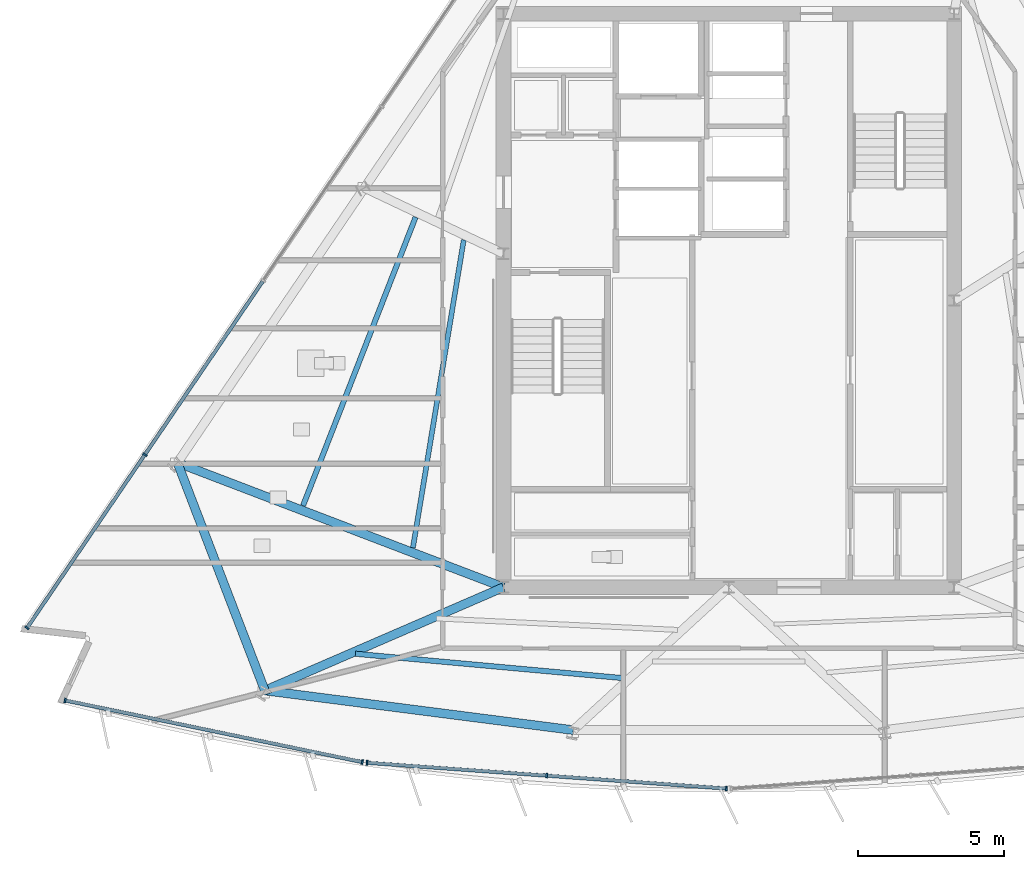
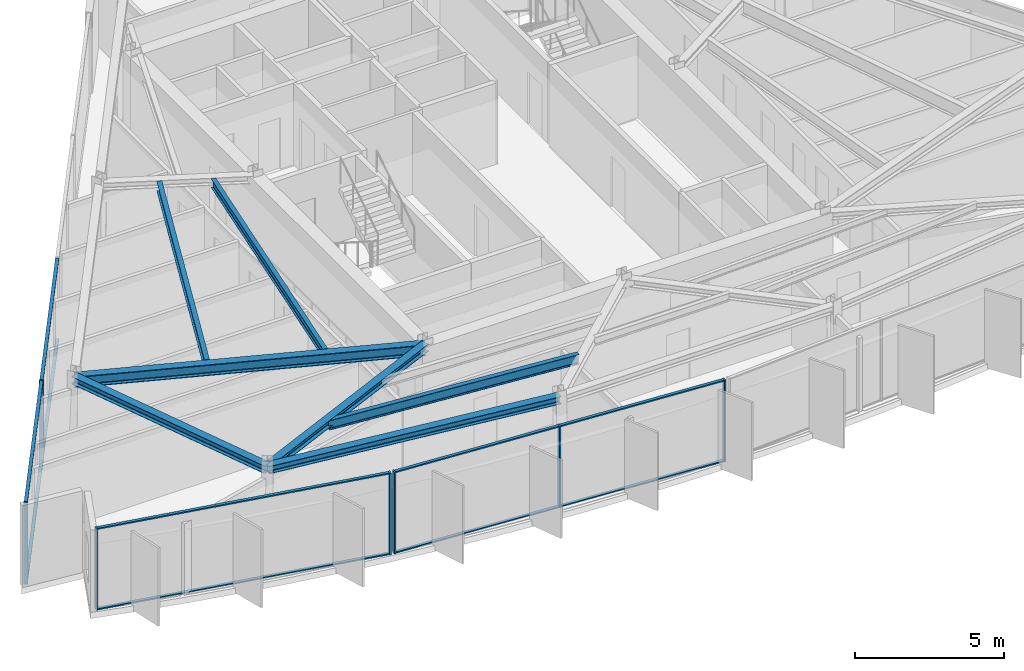
# One storey, part 2 of 13: 17 members, 7 beams, 3 elements without a shape of their own.
"""IFC4 building model written with IfcOpenShell, lengths in metres."""

from ifc_helpers import new_model, si_unit, direction, frame, origin, origin_2d, place, context, subcontext, project, spatial, rectangle, i_section, extrude, material, material_profile, profile_set, type_object, element, aggregate, save


model = new_model("IFC4")

# Units and contexts
model_context = context("Model", 3, precision=1e-05, world=origin(), true_north=direction((0.0, 1.0)))
body_context = subcontext(model_context, "Body", "Model", "MODEL_VIEW")
ifc_project = project(units=[si_unit("LENGTHUNIT", "METRE"), si_unit("AREAUNIT", "SQUARE_METRE"), si_unit("VOLUMEUNIT", "CUBIC_METRE"), si_unit("PLANEANGLEUNIT", "RADIAN"), si_unit("MASSUNIT", "GRAM", prefix="KILO")], contexts=[model_context])

# Site, building, storey
site_placement = place(None, origin())
site = spatial("IfcSite", under=ifc_project, at=site_placement, CompositionType="ELEMENT")
building_placement = place(site_placement, origin())
building = spatial("IfcBuilding", under=site, at=building_placement, Name="Savorim Split Tower", CompositionType="ELEMENT")
storey_placement = place(building_placement, frame((0.0, 0.0, 250.800048828125)))
storey = spatial("IfcBuildingStorey", under=building, at=storey_placement, Name="L66", CompositionType="ELEMENT", Elevation=250.800048828125)

# Beams
ifc_material_1 = material(Name="Steel S355", Category="steel")
ifc_material_profile_1 = material_profile(ifc_material_1, i_section(OverallWidth=0.169921875, OverallDepth=0.360107421875, WebThickness=0.008056640625, FlangeThickness=0.0126953125, FilletRadius=0.01806640625, at=origin_2d()), Name="IPE 360")
ifc_profile_set_1 = profile_set([ifc_material_profile_1], Name="Steel S355")
beam_type_1 = type_object("IfcBeamType", Name="BM-JST-IPE360", PredefinedType="JOIST", material=ifc_profile_set_1)
beam_1_placement = place(storey_placement, frame((-9.055908203125, 2.4716796875, 3.169921875), z_axis=(-0.162880459944, -0.986645810698, 0.0), x_axis=(0.986645810698, -0.162880459944, 0.0)))
element("IfcBeam", 1, at=beam_1_placement, inside=storey, type_object=beam_type_1, Name="L66 Secondary Floor Joist JS-11", PredefinedType="JOIST", context=body_context, shape_type="SweptSolid", body=[
    extrude(i_section(OverallWidth=0.169921875, OverallDepth=0.360107421875, WebThickness=0.008056640625, FlangeThickness=0.0126953125, FilletRadius=0.01806640625, at=origin_2d()), origin(), (0.0, 0.0, 1.0), 10.66455078125),
])
ifc_material_profile_2 = material_profile(ifc_material_1, i_section(OverallWidth=0.179931640625, OverallDepth=0.39990234375, WebThickness=0.008544921875, FlangeThickness=0.013427734375, FilletRadius=0.02099609375, at=origin_2d()), Name="IPE 400")
ifc_profile_set_2 = profile_set([ifc_material_profile_2], Name="Steel S355")
beam_type_2 = type_object("IfcBeamType", Name="BM-JST-IPE400", PredefinedType="JOIST", material=ifc_profile_set_2)
beam_2_placement = place(storey_placement, frame((-12.759033203125, -11.672607421875, 3.14990234375), z_axis=(0.995884753177, -0.090628684147, 0.0), x_axis=(0.090628684147, 0.995884753177, 0.0)))
element("IfcBeam", 2, at=beam_2_placement, inside=storey, type_object=beam_type_2, Name="L66 Secondary Floor Joist JS-01", PredefinedType="JOIST", context=body_context, shape_type="SweptSolid", body=[
    extrude(i_section(OverallWidth=0.179931640625, OverallDepth=0.39990234375, WebThickness=0.008544921875, FlangeThickness=0.013427734375, FilletRadius=0.02099609375, at=origin_2d()), origin(), (0.0, 0.0, 1.0), 9.2373046875),
])
beam_3_placement = place(storey_placement, frame((-10.70263671875, 3.245361328125, 3.14990234375), z_axis=(-0.36343699572, -0.931618779406, 0.0), x_axis=(0.931618779406, -0.36343699572, 0.0)))
element("IfcBeam", 3, at=beam_3_placement, inside=storey, type_object=beam_type_2, Name="L66 Secondary Floor Joist JS-10", PredefinedType="JOIST", context=body_context, shape_type="SweptSolid", body=[
    extrude(i_section(OverallWidth=0.179931640625, OverallDepth=0.39990234375, WebThickness=0.008544921875, FlangeThickness=0.013427734375, FilletRadius=0.02099609375, at=origin_2d()), origin(), (0.0, 0.0, 1.0), 10.58154296875),
])
ifc_material_profile_3 = material_profile(ifc_material_1, i_section(OverallWidth=0.300048828125, OverallDepth=0.300048828125, WebThickness=0.010986328125, FlangeThickness=0.01904296875, FilletRadius=0.027099609375, at=origin_2d()), Name="HEB 300")
ifc_profile_set_3 = profile_set([ifc_material_profile_3], Name="Steel S355")
beam_type_3 = type_object("IfcBeamType", Name="BM-PRI-HEB300", PredefinedType="BEAM", material=ifc_profile_set_3)
beam_4_placement = place(storey_placement, frame((-15.853515625, -12.928466796875, 3.199951171875), z_axis=(0.9177463366, 0.39716704503, 0.0), x_axis=(-0.39716704503, 0.9177463366, 0.0)))
element("IfcBeam", 4, at=beam_4_placement, inside=storey, type_object=beam_type_3, Name="L66 Primary Floor Girder RG-01", PredefinedType="BEAM", context=body_context, shape_type="SweptSolid", body=[
    extrude(i_section(OverallWidth=0.300048828125, OverallDepth=0.300048828125, WebThickness=0.010986328125, FlangeThickness=0.01904296875, FilletRadius=0.027099609375, at=origin_2d()), origin(), (0.0, 0.0, 1.0), 8.88427734375),
])
ifc_material_profile_4 = material_profile(ifc_material_1, i_section(OverallWidth=0.300048828125, OverallDepth=0.449951171875, WebThickness=0.013916015625, FlangeThickness=0.02587890625, FilletRadius=0.027099609375, at=origin_2d()), Name="HEB 450")
ifc_profile_set_4 = profile_set([ifc_material_profile_4], Name="Steel S355")
beam_type_4 = type_object("IfcBeamType", Name="BM-PRI-HEB450", PredefinedType="BEAM", material=ifc_profile_set_4)
beam_5_placement = place(storey_placement, frame((-18.839599609375, -5.144775390625, 3.125), z_axis=(0.934167889928, -0.356833789637, 0.0), x_axis=(0.356833789637, 0.934167889928, 0.0)))
element("IfcBeam", 5, at=beam_5_placement, inside=storey, type_object=beam_type_4, Name="L66 Primary Floor Girder RG-10", PredefinedType="BEAM", context=body_context, shape_type="SweptSolid", body=[
    extrude(i_section(OverallWidth=0.300048828125, OverallDepth=0.449951171875, WebThickness=0.013916015625, FlangeThickness=0.02587890625, FilletRadius=0.027099609375, at=origin_2d()), origin(), (0.0, 0.0, 1.0), 11.924560546875),
])
ifc_material_profile_5 = material_profile(ifc_material_1, i_section(OverallWidth=0.300048828125, OverallDepth=0.31005859375, WebThickness=0.009033203125, FlangeThickness=0.015380859375, FilletRadius=0.027099609375, at=origin_2d()), Name="HEA 320")
ifc_profile_set_5 = profile_set([ifc_material_profile_5], Name="Steel S355")
beam_type_5 = type_object("IfcBeamType", Name="BM-SPN-HEA320", PredefinedType="SPANDREL", material=ifc_profile_set_5)
beam_6_placement = place(storey_placement, frame((-15.853515625, -12.928466796875, 3.195068359375), z_axis=(0.991858093536, -0.127348036053, 0.0), x_axis=(0.127348036053, 0.991858093536, 0.0)))
element("IfcBeam", 6, at=beam_6_placement, inside=storey, type_object=beam_type_5, Name="L66 Perimeter Spandrel Beam 1", PredefinedType="SPANDREL", context=body_context, shape_type="SweptSolid", body=[
    extrude(i_section(OverallWidth=0.300048828125, OverallDepth=0.31005859375, WebThickness=0.009033203125, FlangeThickness=0.015380859375, FilletRadius=0.027099609375, at=origin_2d()), origin(), (0.0, 0.0, 1.0), 10.62646484375),
])
beam_7_placement = place(storey_placement, frame((-18.839599609375, -5.144775390625, 3.195068359375), z_axis=(0.35818026253, -0.933652451148, 0.0), x_axis=(0.933652451148, 0.35818026253, 0.0)))
element("IfcBeam", 7, at=beam_7_placement, inside=storey, type_object=beam_type_5, Name="L66 Perimeter Spandrel Beam 10", PredefinedType="SPANDREL", context=body_context, shape_type="SweptSolid", body=[
    extrude(i_section(OverallWidth=0.300048828125, OverallDepth=0.31005859375, WebThickness=0.009033203125, FlangeThickness=0.015380859375, FilletRadius=0.027099609375, at=origin_2d()), origin(), (0.0, 0.0, 1.0), 8.3369140625),
])

# Curtain wall, members
ifc_material_2 = material(Name="Dark Ceramic-Fritted Insulated Glass", Category="glass")
curtain_wall_type = type_object("IfcCurtainWallType", Name="CW-TWR-FRIT-B", PredefinedType="NOTDEFINED", material=ifc_material_2)
curtain_wall_1_placement = place(storey_placement, origin())
curtain_wall_1 = element("IfcCurtainWall", 8, at=curtain_wall_1_placement, inside=storey, type_object=curtain_wall_type, Name="L66 Curtain Wall CW-L66-SF1", PredefinedType="NOTDEFINED")
ifc_material_3 = material(Name="Charcoal Anodised Aluminium", Category="aluminium")
ifc_material_profile_6 = material_profile(ifc_material_3, rectangle(XDim=0.159912109375, YDim=0.06005859375, at=origin_2d()), Name="ALU-M 160x60")
ifc_profile_set_6 = profile_set([ifc_material_profile_6], Name="Charcoal Anodised Aluminium")
member_type_1 = type_object("IfcMemberType", Name="CWM-160x60", PredefinedType="MULLION", material=ifc_profile_set_6)
member_1_placement = place(storey_placement, frame((-22.677978515625, -13.26611328125, 0.0), z_axis=(0.0, 0.0, 1.0), x_axis=(0.20320761208, 0.979135673129, 0.0)))
member_1 = element("IfcMember", 9, at=member_1_placement, type_object=member_type_1, Name="CW-03 mullion 1", PredefinedType="MULLION", context=body_context, shape_type="SweptSolid", body=[
    extrude(rectangle(XDim=0.159912109375, YDim=0.06005859375, at=origin_2d()), origin(), (0.0, 0.0, 1.0), 3.349853515625),
])
member_2_placement = place(storey_placement, frame((-12.524169921875, -15.373291015625, 0.0), z_axis=(0.0, 0.0, 1.0), x_axis=(0.20320761208, 0.979135673129, 0.0)))
member_2 = element("IfcMember", 10, at=member_2_placement, type_object=member_type_1, Name="CW-03 mullion 2", PredefinedType="MULLION", context=body_context, shape_type="SweptSolid", body=[
    extrude(rectangle(XDim=0.159912109375, YDim=0.06005859375, at=origin_2d()), origin(), (0.0, 0.0, 1.0), 3.349853515625),
])

curtain_wall_2_placement = place(storey_placement, origin())
curtain_wall_2 = element("IfcCurtainWall", 11, at=curtain_wall_2_placement, inside=storey, type_object=curtain_wall_type, Name="L66 Curtain Wall CW-L66-SF2", PredefinedType="NOTDEFINED")
member_3_placement = place(storey_placement, frame((-12.362060546875, -15.39599609375, 0.0), z_axis=(0.0, 0.0, 1.0), x_axis=(0.071562386711, 0.997436125678, 0.0)))
member_3 = element("IfcMember", 12, at=member_3_placement, type_object=member_type_1, Name="CW-03 mullion 1", PredefinedType="MULLION", context=body_context, shape_type="SweptSolid", body=[
    extrude(rectangle(XDim=0.159912109375, YDim=0.06005859375, at=origin_2d()), origin(), (0.0, 0.0, 1.0), 3.349853515625),
])
member_4_placement = place(storey_placement, frame((-6.2216796875, -15.83642578125, 0.0), z_axis=(0.0, 0.0, 1.0), x_axis=(0.071562386711, 0.997436125678, 0.0)))
member_4 = element("IfcMember", 13, at=member_4_placement, type_object=member_type_1, Name="CW-03 mullion 2", PredefinedType="MULLION", context=body_context, shape_type="SweptSolid", body=[
    extrude(rectangle(XDim=0.159912109375, YDim=0.06005859375, at=origin_2d()), origin(), (0.0, 0.0, 1.0), 3.349853515625),
])
member_5_placement = place(storey_placement, frame((-0.081298828125, -16.277099609375, 0.0), z_axis=(0.0, 0.0, 1.0), x_axis=(0.071562386711, 0.997436125678, 0.0)))
member_5 = element("IfcMember", 14, at=member_5_placement, type_object=member_type_1, Name="CW-03 mullion 3", PredefinedType="MULLION", context=body_context, shape_type="SweptSolid", body=[
    extrude(rectangle(XDim=0.159912109375, YDim=0.06005859375, at=origin_2d()), origin(), (0.0, 0.0, 1.0), 3.349853515625),
])

curtain_wall_3_placement = place(storey_placement, origin())
curtain_wall_3 = element("IfcCurtainWall", 15, at=curtain_wall_3_placement, inside=storey, type_object=curtain_wall_type, Name="L66 Curtain Wall CW-L66-WEST", PredefinedType="NOTDEFINED")
member_6_placement = place(storey_placement, frame((-19.951904296875, -4.8671875, 0.0), z_axis=(0.0, 0.0, 1.0), x_axis=(0.826817472755, -0.562470325215, 0.0)))
member_6 = element("IfcMember", 16, at=member_6_placement, type_object=member_type_1, Name="CW-03 mullion 4", PredefinedType="MULLION", context=body_context, shape_type="SweptSolid", body=[
    extrude(rectangle(XDim=0.159912109375, YDim=0.06005859375, at=origin_2d()), origin(), (0.0, 0.0, 1.0), 3.349853515625),
])
member_7_placement = place(storey_placement, frame((-23.97998046875, -10.78857421875, 0.0), z_axis=(0.0, 0.0, 1.0), x_axis=(0.826817472755, -0.562470325215, 0.0)))
member_7 = element("IfcMember", 17, at=member_7_placement, type_object=member_type_1, Name="CW-03 mullion 5", PredefinedType="MULLION", context=body_context, shape_type="SweptSolid", body=[
    extrude(rectangle(XDim=0.159912109375, YDim=0.06005859375, at=origin_2d()), origin(), (0.0, 0.0, 1.0), 3.349853515625),
])

# Member
ifc_material_profile_7 = material_profile(ifc_material_3, rectangle(XDim=0.1201171875, YDim=0.050048828125, at=origin_2d()), Name="ALU-T 120x50")
ifc_profile_set_7 = profile_set([ifc_material_profile_7], Name="Charcoal Anodised Aluminium")
member_type_2 = type_object("IfcMemberType", Name="CWT-120x50", PredefinedType="USERDEFINED", material=ifc_profile_set_7)
member_8_placement = place(storey_placement, frame((-22.648681640625, -13.272216796875, 0.02490234375), z_axis=(0.97913890437, -0.203192042041, 0.0), x_axis=(0.203192042041, 0.97913890437, 0.0)))
member_8 = element("IfcMember", 18, at=member_8_placement, type_object=member_type_2, Name="CW-03 transom 1.1", ObjectType="TRANSOM", PredefinedType="USERDEFINED", context=body_context, shape_type="SweptSolid", body=[
    extrude(rectangle(XDim=0.1201171875, YDim=0.050048828125, at=origin_2d()), origin(), (0.0, 0.0, 1.0), 10.310302734375),
])

member_9_placement = place(storey_placement, frame((-22.648681640625, -13.272216796875, 3.324951171875), z_axis=(0.97913890437, -0.203192042041, 0.0), x_axis=(0.203192042041, 0.97913890437, 0.0)))
member_9 = element("IfcMember", 19, at=member_9_placement, type_object=member_type_2, Name="CW-03 transom 1.2", ObjectType="TRANSOM", PredefinedType="USERDEFINED", context=body_context, shape_type="SweptSolid", body=[
    extrude(rectangle(XDim=0.1201171875, YDim=0.050048828125, at=origin_2d()), origin(), (0.0, 0.0, 1.0), 10.310302734375),
])

aggregate(curtain_wall_1, [member_1, member_2, member_8, member_9])

member_10_placement = place(storey_placement, frame((-12.332275390625, -15.398193359375, 0.02490234375), z_axis=(0.997436085583, -0.071562945555, 0.0), x_axis=(0.071562945555, 0.997436085583, 0.0)))
member_10 = element("IfcMember", 20, at=member_10_placement, type_object=member_type_2, Name="CW-03 transom 1.1", ObjectType="TRANSOM", PredefinedType="USERDEFINED", context=body_context, shape_type="SweptSolid", body=[
    extrude(rectangle(XDim=0.1201171875, YDim=0.050048828125, at=origin_2d()), origin(), (0.0, 0.0, 1.0), 6.096435546875),
])

member_11_placement = place(storey_placement, frame((-12.332275390625, -15.398193359375, 3.324951171875), z_axis=(0.997436085583, -0.071562945555, 0.0), x_axis=(0.071562945555, 0.997436085583, 0.0)))
member_11 = element("IfcMember", 21, at=member_11_placement, type_object=member_type_2, Name="CW-03 transom 1.2", ObjectType="TRANSOM", PredefinedType="USERDEFINED", context=body_context, shape_type="SweptSolid", body=[
    extrude(rectangle(XDim=0.1201171875, YDim=0.050048828125, at=origin_2d()), origin(), (0.0, 0.0, 1.0), 6.096435546875),
])

member_12_placement = place(storey_placement, frame((-6.191650390625, -15.838623046875, 0.02490234375), z_axis=(0.997435880483, -0.071565804161, 0.0), x_axis=(0.071565804161, 0.997435880483, 0.0)))
member_12 = element("IfcMember", 22, at=member_12_placement, type_object=member_type_2, Name="CW-03 transom 2.1", ObjectType="TRANSOM", PredefinedType="USERDEFINED", context=body_context, shape_type="SweptSolid", body=[
    extrude(rectangle(XDim=0.1201171875, YDim=0.050048828125, at=origin_2d()), origin(), (0.0, 0.0, 1.0), 6.09619140625),
])

member_13_placement = place(storey_placement, frame((-6.191650390625, -15.838623046875, 3.324951171875), z_axis=(0.997435880483, -0.071565804161, 0.0), x_axis=(0.071565804161, 0.997435880483, 0.0)))
member_13 = element("IfcMember", 23, at=member_13_placement, type_object=member_type_2, Name="CW-03 transom 2.2", ObjectType="TRANSOM", PredefinedType="USERDEFINED", context=body_context, shape_type="SweptSolid", body=[
    extrude(rectangle(XDim=0.1201171875, YDim=0.050048828125, at=origin_2d()), origin(), (0.0, 0.0, 1.0), 6.09619140625),
])

aggregate(curtain_wall_2, [member_3, member_4, member_5, member_10, member_11, member_12, member_13])

member_14_placement = place(storey_placement, frame((-15.923828125, 1.053955078125, 0.02490234375), z_axis=(-0.562465450543, -0.826820788893, 0.0), x_axis=(0.826820788893, -0.562465450543, 0.0)))
member_14 = element("IfcMember", 24, at=member_14_placement, type_object=member_type_2, Name="CW-03 transom 3.1", ObjectType="TRANSOM", PredefinedType="USERDEFINED", context=body_context, shape_type="SweptSolid", body=[
    extrude(rectangle(XDim=0.1201171875, YDim=0.050048828125, at=origin_2d()), origin(), (0.0, 0.0, 1.0), 7.131591796875),
])

member_15_placement = place(storey_placement, frame((-15.923828125, 1.053955078125, 3.324951171875), z_axis=(-0.562465450543, -0.826820788893, 0.0), x_axis=(0.826820788893, -0.562465450543, 0.0)))
member_15 = element("IfcMember", 25, at=member_15_placement, type_object=member_type_2, Name="CW-03 transom 3.2", ObjectType="TRANSOM", PredefinedType="USERDEFINED", context=body_context, shape_type="SweptSolid", body=[
    extrude(rectangle(XDim=0.1201171875, YDim=0.050048828125, at=origin_2d()), origin(), (0.0, 0.0, 1.0), 7.131591796875),
])

member_16_placement = place(storey_placement, frame((-19.96875, -4.89208984375, 0.02490234375), z_axis=(-0.562474570512, -0.826814584733, 0.0), x_axis=(0.826814584733, -0.562474570512, 0.0)))
member_16 = element("IfcMember", 26, at=member_16_placement, type_object=member_type_2, Name="CW-03 transom 4.1", ObjectType="TRANSOM", PredefinedType="USERDEFINED", context=body_context, shape_type="SweptSolid", body=[
    extrude(rectangle(XDim=0.1201171875, YDim=0.050048828125, at=origin_2d()), origin(), (0.0, 0.0, 1.0), 7.1015625),
])

member_17_placement = place(storey_placement, frame((-19.96875, -4.89208984375, 3.324951171875), z_axis=(-0.562474570512, -0.826814584733, 0.0), x_axis=(0.826814584733, -0.562474570512, 0.0)))
member_17 = element("IfcMember", 27, at=member_17_placement, type_object=member_type_2, Name="CW-03 transom 4.2", ObjectType="TRANSOM", PredefinedType="USERDEFINED", context=body_context, shape_type="SweptSolid", body=[
    extrude(rectangle(XDim=0.1201171875, YDim=0.050048828125, at=origin_2d()), origin(), (0.0, 0.0, 1.0), 7.1015625),
])

aggregate(curtain_wall_3, [member_6, member_7, member_14, member_15, member_16, member_17])

save(model, "model.ifc")
